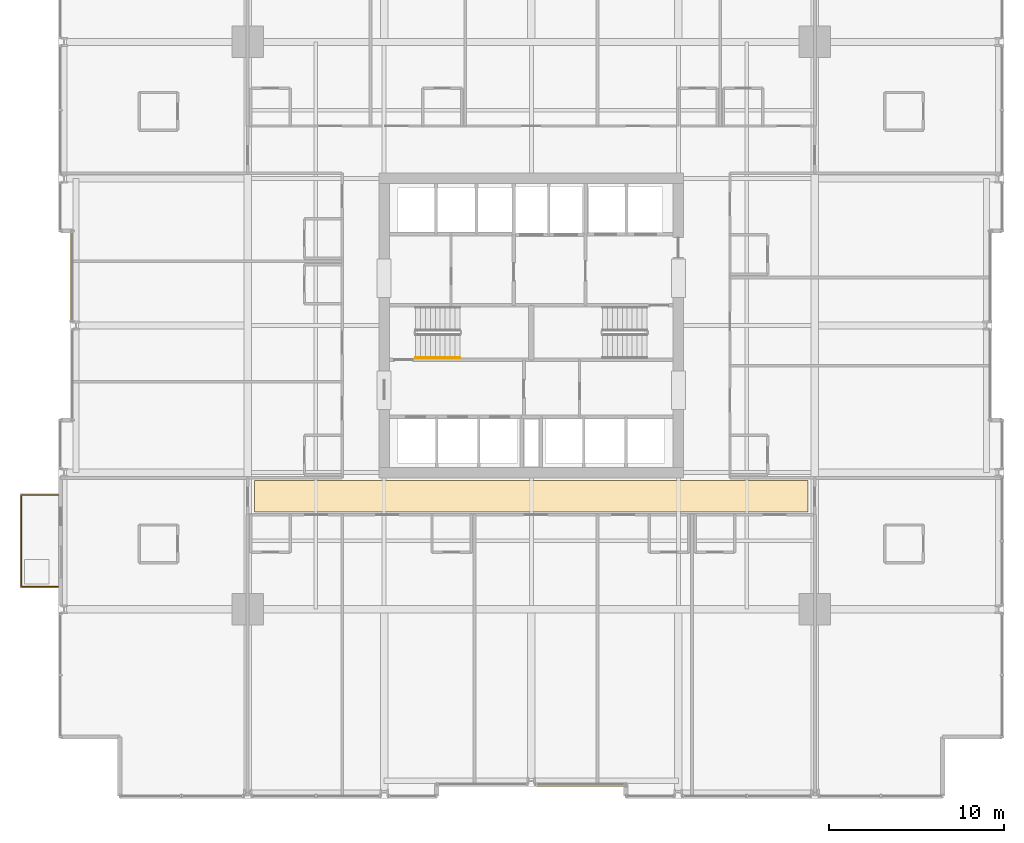
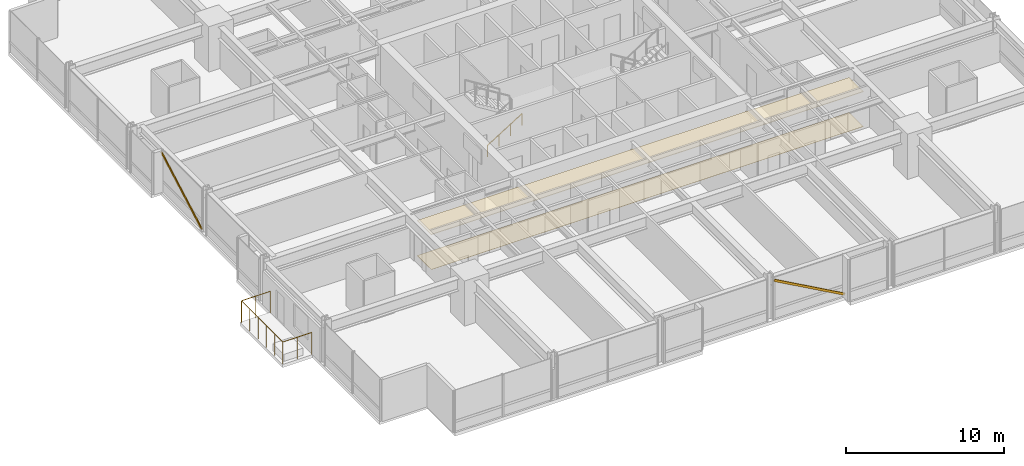
# One storey, part 36 of 38: 2 coverings, 2 railings, 2 shading devices.
"""IFC4 building model written with IfcOpenShell, lengths in metres."""

from ifc_helpers import new_model, si_unit, direction, frame, origin, origin_2d, place, context, subcontext, project, spatial, polyline, hollow_rectangle, circle, outline, extrude, material, layer, layer_set, material_profile, profile_set, type_object, element, save


model = new_model("IFC4")

# Units and contexts
model_context = context("Model", 3, precision=1e-05, world=origin(), true_north=direction((0.0, 1.0)))
body_context = subcontext(model_context, "Body", "Model", "MODEL_VIEW")
ifc_project = project(units=[si_unit("LENGTHUNIT", "METRE"), si_unit("AREAUNIT", "SQUARE_METRE"), si_unit("VOLUMEUNIT", "CUBIC_METRE"), si_unit("PLANEANGLEUNIT", "RADIAN"), si_unit("MASSUNIT", "GRAM", prefix="KILO")], contexts=[model_context])

# Site, building, storey
site_placement = place(None, origin())
site = spatial("IfcSite", under=ifc_project, at=site_placement, CompositionType="ELEMENT")
building_placement = place(site_placement, origin())
building = spatial("IfcBuilding", under=site, at=building_placement, Name="Drelvath Grand Hotel", CompositionType="ELEMENT")
storey_placement = place(building_placement, frame((0.0, 0.0, 57.699951171875)))
storey = spatial("IfcBuildingStorey", under=building, at=storey_placement, Name="L13", CompositionType="ELEMENT", Elevation=57.699951171875)

# Railing
ifc_material_1 = material(Name="Painted Steel S275", Category="steel")
railing_type_1 = type_object("IfcRailingType", Name="Core Stair Wall Handrail 900", PredefinedType="HANDRAIL", material=ifc_material_1)
railing_1_placement = place(storey_placement, frame((-6.60009765625, 25.169921875, 0.175048828125)))
element("IfcRailing", 1, at=railing_1_placement, inside=storey, type_object=railing_type_1, Name="L13 ST-1 stair handrail 1", PredefinedType="HANDRAIL", context=body_context, shape_type="SweptSolid", body=[
    extrude(circle(Radius=0.02392578125, at=origin_2d()), frame((0.0, 0.0, 0.8759765625), z_axis=(0.848007534815, 0.0, 0.529984170421), x_axis=(0.0, 1.0, 0.0)), (0.0, 0.0, 1.0), 2.9716796875),
    extrude(circle(Radius=0.02099609375, at=origin_2d()), origin(), (0.0, 0.0, 1.0), 0.851806640625),
    extrude(circle(Radius=0.02099609375, at=origin_2d()), frame((0.840087890625, 0.0, 0.52490234375)), (0.0, 0.0, 1.0), 0.851806640625),
    extrude(circle(Radius=0.02099609375, at=origin_2d()), frame((1.679931640625, 0.0, 1.050048828125)), (0.0, 0.0, 1.0), 0.851806640625),
    extrude(circle(Radius=0.02099609375, at=origin_2d()), frame((2.52001953125, 0.0, 1.574951171875)), (0.0, 0.0, 1.0), 0.851806640625),
])

# Shading devices
ifc_material_2 = material(Name="Warm Bronze Anodised Aluminium", Category="aluminium")
ifc_material_profile = material_profile(ifc_material_2, hollow_rectangle(XDim=0.06494140625, YDim=0.159912109375, WallThickness=0.00390625, at=origin_2d()), Name="HSS160X65X4")
ifc_profile_set = profile_set([ifc_material_profile], Name="Warm Bronze Anodised Aluminium")
shading_device_type = type_object("IfcShadingDeviceType", Name="Diagonal Solar Fin Warm Bronze Anodised HSS160X65X4", PredefinedType="USERDEFINED", material=ifc_profile_set)
for number, where, z_axis, x_axis, name in (
    (2, (-26.280029296875, 27.240966796875, 0.179931640625), (0.0, 0.873145760887, 0.487459208801), (-1.0, 0.0, 0.0), "L13 Diagonal Anodised Fin CW02-L13-WM2"),
    (3, (5.39990234375, 0.719970703125, 0.179931640625), (-0.873145760887, 0.0, 0.487459208801), (0.0, -1.0, 0.0), "L13 Diagonal Anodised Fin CW02-L13-SM2"),
):
    element("IfcShadingDevice", number, at=place(storey_placement, frame(where, z_axis=z_axis, x_axis=x_axis)), inside=storey, type_object=shading_device_type, Name=name, ObjectType="FIN", PredefinedType="USERDEFINED", context=body_context, shape_type="SweptSolid", body=[
        extrude(hollow_rectangle(XDim=0.06494140625, YDim=0.159912109375, WallThickness=0.00390625, at=origin_2d()), origin(), (0.0, 0.0, 1.0), 5.908447265625),
    ])

# Coverings
ifc_material_3 = material(Name="Woven Wool Broadloom Carpet")
ifc_layer_1 = layer(ifc_material_3, 0.01806640625)
ifc_layer_set_1 = layer_set([ifc_layer_1], Name="Woven Wool Broadloom Carpet")
covering_type_1 = type_object("IfcCoveringType", Name="Hospitality Broadloom Carpet 18", PredefinedType="FLOORING", material=ifc_layer_set_1)
covering_1_placement = place(storey_placement, origin())
element("IfcCovering", 4, at=covering_1_placement, inside=storey, type_object=covering_type_1, Name="L13 Corridor Broadloom Carpet", PredefinedType="FLOORING", context=body_context, shape_type="SweptSolid", body=[
    extrude(outline(polyline([(15.800048828125, 16.35009765625), (15.800048828125, 18.14990234375), (-15.800048828125, 18.14990234375), (-15.800048828125, 16.35009765625), (15.800048828125, 16.35009765625)])), origin(), (0.0, 0.0, 1.0), 0.01806640625),
])
ifc_material_4 = material(Name="Anodised Aluminium Alloy", Category="aluminium")
ifc_layer_2 = layer(ifc_material_4, 0.0400390625)
ifc_layer_set_2 = layer_set([ifc_layer_2], Name="Anodised Aluminium Alloy")
covering_type_2 = type_object("IfcCoveringType", Name="Perforated Metal Corridor Ceiling 40", PredefinedType="CEILING", material=ifc_layer_set_2)
covering_2_placement = place(storey_placement, frame((0.0, 0.0, 2.68994140625)))
element("IfcCovering", 5, at=covering_2_placement, inside=storey, type_object=covering_type_2, Name="L13 Corridor Acoustic Ceiling", PredefinedType="CEILING", context=body_context, shape_type="SweptSolid", body=[
    extrude(outline(polyline([(15.800048828125, 16.35009765625), (15.800048828125, 18.14990234375), (-15.800048828125, 18.14990234375), (-15.800048828125, 16.35009765625), (15.800048828125, 16.35009765625)])), origin(), (0.0, 0.0, 1.0), 0.0400390625),
])

# Railing
ifc_material_5 = material(Name="Anodised Aluminium and Laminated Glass Balustrade", Category="aluminium")
railing_type_2 = type_object("IfcRailingType", Name="Raised Planter Edge Balustrade 1700", PredefinedType="BALUSTRADE", material=ifc_material_5)
railing_2_placement = place(storey_placement, frame((-27.02001953125, 12.080078125, 0.0)))
element("IfcRailing", 6, at=railing_2_placement, inside=storey, type_object=railing_type_2, Name="L13 Tree Balcony Perimeter Balustrade 1", PredefinedType="BALUSTRADE", context=body_context, shape_type="SweptSolid", body=[
    extrude(circle(Radius=0.02392578125, at=origin_2d()), frame((0.0, 0.0, 1.67578125), z_axis=(-1.0, 0.0, 0.0), x_axis=(0.0, -1.0, 0.0)), (0.0, 0.0, 1.0), 2.10009765625),
    extrude(circle(Radius=0.02392578125, at=origin_2d()), frame((-2.10009765625, 0.0, 1.67578125), z_axis=(0.0, 1.0, 0.0), x_axis=(-1.0, 0.0, 0.0)), (0.0, 0.0, 1.0), 5.239990234375),
    extrude(circle(Radius=0.02392578125, at=origin_2d()), frame((-2.10009765625, 5.239990234375, 1.67578125), z_axis=(1.0, 0.0, 0.0), x_axis=(0.0, 1.0, 0.0)), (0.0, 0.0, 1.0), 2.10009765625),
    extrude(circle(Radius=0.02099609375, at=origin_2d()), origin(), (0.0, 0.0, 1.0), 1.65185546875),
    extrude(circle(Radius=0.02099609375, at=origin_2d()), frame((-1.050048828125, 0.0, 0.0)), (0.0, 0.0, 1.0), 1.65185546875),
    extrude(circle(Radius=0.02099609375, at=origin_2d()), frame((-2.10009765625, 0.0, 0.0)), (0.0, 0.0, 1.0), 1.65185546875),
    extrude(circle(Radius=0.02099609375, at=origin_2d()), frame((-2.10009765625, 1.048095703125, 0.0)), (0.0, 0.0, 1.0), 1.65185546875),
    extrude(circle(Radius=0.02099609375, at=origin_2d()), frame((-2.10009765625, 2.095947265625, 0.0)), (0.0, 0.0, 1.0), 1.65185546875),
    extrude(circle(Radius=0.02099609375, at=origin_2d()), frame((-2.10009765625, 3.14404296875, 0.0)), (0.0, 0.0, 1.0), 1.65185546875),
    extrude(circle(Radius=0.02099609375, at=origin_2d()), frame((-2.10009765625, 4.19189453125, 0.0)), (0.0, 0.0, 1.0), 1.65185546875),
    extrude(circle(Radius=0.02099609375, at=origin_2d()), frame((-2.10009765625, 5.239990234375, 0.0)), (0.0, 0.0, 1.0), 1.65185546875),
    extrude(circle(Radius=0.02099609375, at=origin_2d()), frame((-1.050048828125, 5.239990234375, 0.0)), (0.0, 0.0, 1.0), 1.65185546875),
    extrude(circle(Radius=0.02099609375, at=origin_2d()), frame((0.0, 5.239990234375, 0.0)), (0.0, 0.0, 1.0), 1.65185546875),
])

save(model, "model.ifc")
